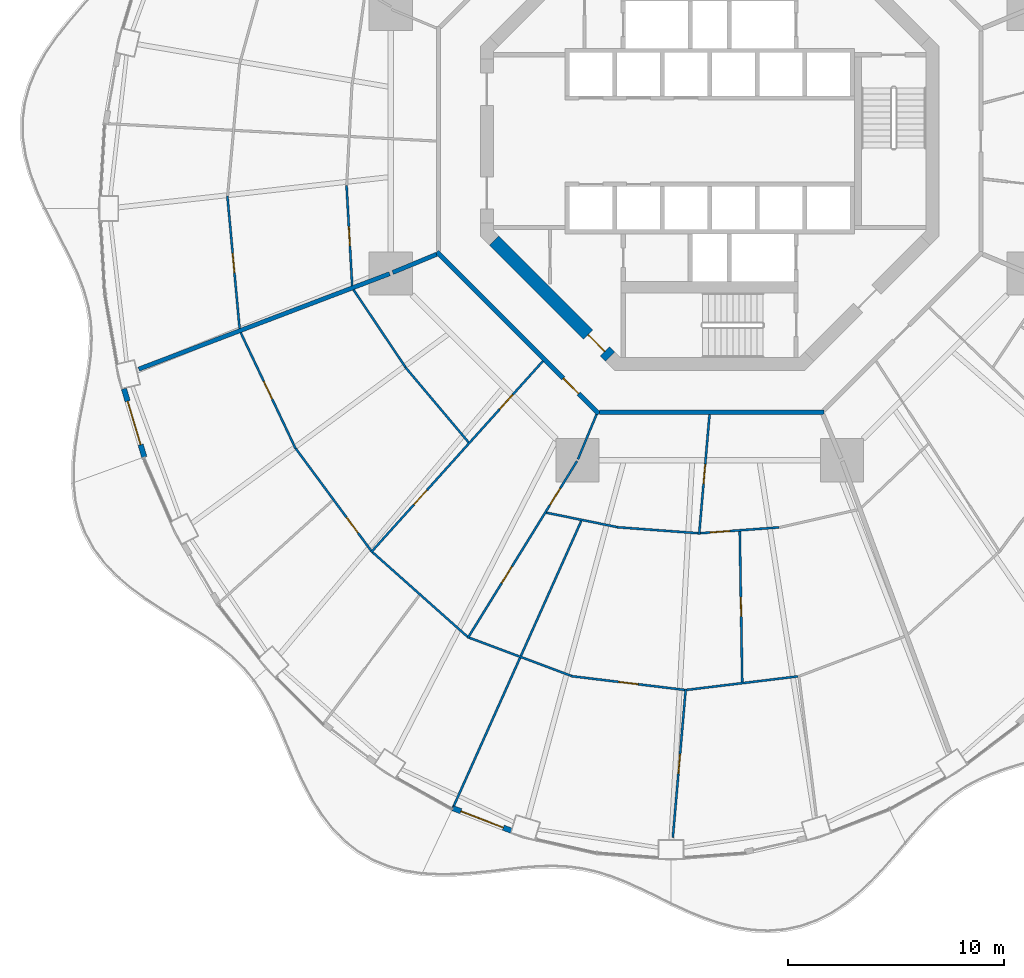
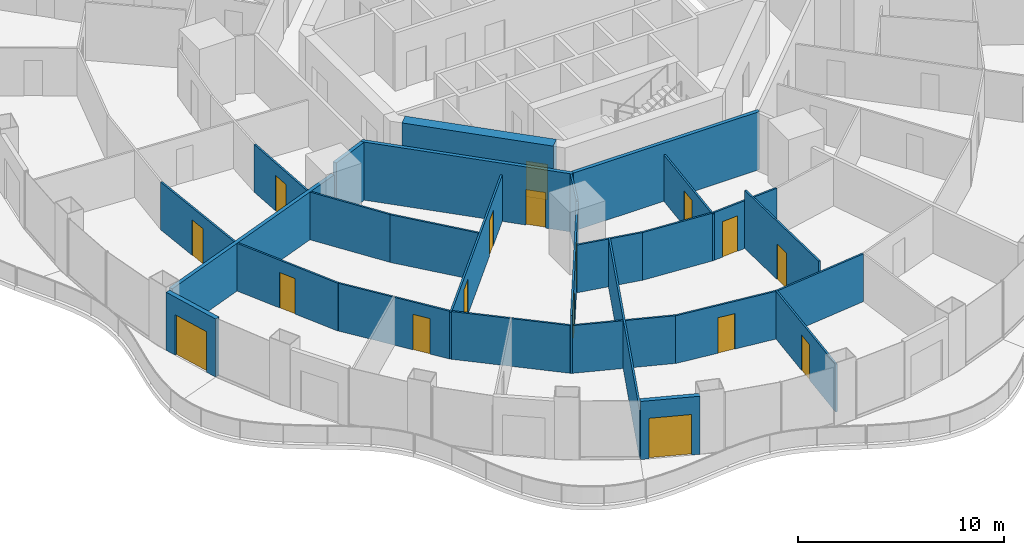
# One storey, part 12 of 20: 27 walls, 17 doors, 17 openings.
"""IFC4 building model written with IfcOpenShell, lengths in metres."""

from ifc_helpers import new_model, si_unit, direction, frame, frame_2d, origin, place, context, subcontext, project, spatial, rectangle, extrude, material, layer, layer_set, type_object, element, fill, save


model = new_model("IFC4")

# Units and contexts
model_context = context("Model", 3, precision=1e-05, world=origin(), true_north=direction((0.0, 1.0)))
body_context = subcontext(model_context, "Body", "Model", "MODEL_VIEW")
ifc_project = project(units=[si_unit("LENGTHUNIT", "METRE"), si_unit("AREAUNIT", "SQUARE_METRE"), si_unit("VOLUMEUNIT", "CUBIC_METRE"), si_unit("PLANEANGLEUNIT", "RADIAN"), si_unit("MASSUNIT", "GRAM", prefix="KILO")], contexts=[model_context])

# Site, building, storey
site_placement = place(None, origin())
site = spatial("IfcSite", under=ifc_project, at=site_placement, CompositionType="ELEMENT")
building_placement = place(site_placement, origin())
building = spatial("IfcBuilding", under=site, at=building_placement, Name="Nagisa Residences", CompositionType="ELEMENT")
storey_placement = place(building_placement, frame((0.0, 0.0, 152.89990234375)))
storey = spatial("IfcBuildingStorey", under=building, at=storey_placement, Name="L38", CompositionType="ELEMENT", Elevation=152.89990234375)

# Walls
ifc_material_1 = material(Name="Gypsum board on steel studs", Category="steel")
ifc_layer_1 = layer(ifc_material_1, 0.199951171875)
ifc_layer_set_1 = layer_set([ifc_layer_1], Name="Apartment compartment wall EI60 200")
wall_type_1 = type_object("IfcWallType", Name="Apartment compartment wall EI60 200", PredefinedType="PARTITIONING", material=ifc_layer_set_1)
wall_1_placement = place(storey_placement, frame((-12.6572265625, -5.24267578125, 0.0), z_axis=(0.0, 0.0, 1.0), x_axis=(-0.923859888513, -0.38273085373, 0.0)))
element("IfcWall", 1, at=wall_1_placement, inside=storey, type_object=wall_type_1, Name="wall:L38:u06", PredefinedType="PARTITIONING", context=body_context, shape_type="SweptSolid", body=[
    extrude(rectangle(XDim=2.199462890625, YDim=0.199951171875, at=frame_2d((1.099609375, 0.0))), origin(), (0.0, 0.0, 1.0), 3.440185546875),
])
wall_2_placement = place(storey_placement, frame((-14.828857421875, -6.140625, 0.0), z_axis=(0.0, 0.0, 1.0), x_axis=(-0.93470181966, -0.355432846433, 0.0)))
element("IfcWall", 2, at=wall_2_placement, inside=storey, type_object=wall_type_1, Name="wall:L38:u07", PredefinedType="PARTITIONING", context=body_context, shape_type="SweptSolid", body=[
    extrude(rectangle(XDim=12.4375, YDim=0.199951171875, at=frame_2d((6.21875, 0.0))), origin(), (0.0, 0.0, 1.0), 2.828125),
])

# Wall, opening, door
ifc_material_2 = material(Name="Gypsum board on steel studs", Category="steel")
ifc_layer_2 = layer(ifc_material_2, 0.199951171875)
ifc_layer_set_2 = layer_set([ifc_layer_2], Name="Apartment entry wall EI60 200")
wall_type_2 = type_object("IfcWallType", Name="Apartment entry wall EI60 200", PredefinedType="PARTITIONING", material=ifc_layer_set_2)
wall_3_placement = place(storey_placement, frame((-12.635498046875, -5.1337890625, 0.0), z_axis=(0.0, 0.0, 1.0), x_axis=(0.707106781187, -0.707106781187, 0.0)))
wall_3 = element("IfcWall", 3, at=wall_3_placement, inside=storey, type_object=wall_type_2, Name="wall:L38:u17", PredefinedType="PARTITIONING", context=body_context, shape_type="SweptSolid", body=[
    extrude(rectangle(XDim=10.609130859375, YDim=0.199951171875, at=frame_2d((5.3046875, 0.0))), origin(), (0.0, 0.0, 1.0), 3.440185546875),
])
opening_1_placement = place(wall_3_placement, frame((8.274169921875, 0.0, 0.0)))
opening_1 = element("IfcOpeningElement", 4, at=opening_1_placement, cuts=wall_3, Name="Opening L38-U45", PredefinedType="OPENING", context=body_context, shape_type="SweptSolid", body=[
    extrude(rectangle(XDim=1.0, YDim=2.10009765625, at=frame_2d((0.5, 1.050048828125))), frame((0.0, 0.10986328125, 0.0), z_axis=(0.0, -1.0, 0.0), x_axis=(1.0, 0.0, 0.0)), (0.0, 0.0, 1.0), 0.219970703125),
])
ifc_material_3 = material(Name="Timber fire door set", Category="wood")
door_type_1 = type_object("IfcDoorType", Name="Apartment entry door FD30S 1000x2100", OperationType="NOTDEFINED", PredefinedType="DOOR", material=ifc_material_3)
door_1_placement = place(opening_1_placement, frame((1.0, 0.0, 0.0), x_axis=(-1.0, 0.0, 0.0)))
door_1 = element("IfcDoor", 5, at=door_1_placement, inside=storey, type_object=door_type_1, Name="Entry door, Apartment 38F", OperationType="SINGLE_SWING_RIGHT", OverallHeight=2.10009765625, OverallWidth=1.0, PredefinedType="DOOR", context=body_context, shape_type="SweptSolid", body=[
    extrude(rectangle(XDim=1.0, YDim=2.10009765625, at=frame_2d((0.5, 1.050048828125))), frame((0.0, 0.02490234375, 0.0), z_axis=(0.0, -1.0, 0.0), x_axis=(1.0, 0.0, 0.0)), (0.0, 0.0, 1.0), 0.050048828125),
])
fill(opening_1, door_1)

# Wall
wall_4_placement = place(storey_placement, frame((-5.1044921875, -12.564697265625, 0.0), z_axis=(0.0, 0.0, 1.0), x_axis=(1.0, 0.0, 0.0)))
element("IfcWall", 6, at=wall_4_placement, inside=storey, type_object=wall_type_2, Name="wall:L38:u18", PredefinedType="PARTITIONING", context=body_context, shape_type="SweptSolid", body=[
    extrude(rectangle(XDim=10.408935546875, YDim=0.199951171875, at=frame_2d((5.20458984375, 0.0))), origin(), (0.0, 0.0, 1.0), 3.440185546875),
])

# Wall, opening, door
ifc_material_4 = material(Name="Gypsum board on steel studs", Category="steel")
ifc_layer_3 = layer(ifc_material_4, 0.10009765625)
ifc_layer_set_3 = layer_set([ifc_layer_3], Name="Apartment partition 100")
wall_type_3 = type_object("IfcWallType", Name="Apartment partition 100", PredefinedType="PARTITIONING", material=ifc_layer_set_3)
wall_5_placement = place(storey_placement, frame((-16.825439453125, -2.058349609375, 0.0), z_axis=(0.0, 0.0, 1.0), x_axis=(0.055993664681, -0.998431124072, 0.0)))
wall_5 = element("IfcWall", 7, at=wall_5_placement, inside=storey, type_object=wall_type_3, Name="wall:L38:u58", PredefinedType="PARTITIONING", context=body_context, shape_type="SweptSolid", body=[
    extrude(rectangle(XDim=4.64794921875, YDim=0.10009765625, at=frame_2d((2.323974609375, 0.0))), origin(), (0.0, 0.0, 1.0), 2.828125),
])
opening_2_placement = place(wall_5_placement, frame((1.89892578125, 0.0, 0.0)))
opening_2 = element("IfcOpeningElement", 8, at=opening_2_placement, cuts=wall_5, Name="Opening L38-U44", PredefinedType="OPENING", context=body_context, shape_type="SweptSolid", body=[
    extrude(rectangle(XDim=0.89990234375, YDim=2.10009765625, at=frame_2d((0.449951171875, 1.050048828125))), frame((0.0, 0.06005859375, 0.0), z_axis=(0.0, -1.0, 0.0), x_axis=(1.0, 0.0, 0.0)), (0.0, 0.0, 1.0), 0.1201171875),
])
ifc_material_5 = material(Name="Timber door set", Category="wood")
door_type_2 = type_object("IfcDoorType", Name="Apartment door 900x2100", OperationType="NOTDEFINED", PredefinedType="DOOR", material=ifc_material_5)
door_2_placement = place(opening_2_placement, origin())
door_2 = element("IfcDoor", 9, at=door_2_placement, inside=storey, type_object=door_type_2, Name="Door to laundry, Apartment 38E", OperationType="SINGLE_SWING_RIGHT", OverallHeight=2.10009765625, OverallWidth=0.89990234375, PredefinedType="DOOR", context=body_context, shape_type="SweptSolid", body=[
    extrude(rectangle(XDim=0.89990234375, YDim=2.10009765625, at=frame_2d((0.449951171875, 1.050048828125))), frame((0.0, 0.02490234375, 0.0), z_axis=(0.0, -1.0, 0.0), x_axis=(1.0, 0.0, 0.0)), (0.0, 0.0, 1.0), 0.050048828125),
])
fill(opening_2, door_2)

wall_6_placement = place(storey_placement, frame((-22.346923828125, -2.54248046875, 0.0), z_axis=(0.0, 0.0, 1.0), x_axis=(0.091796102484, -0.995777824401, 0.0)))
wall_6 = element("IfcWall", 10, at=wall_6_placement, inside=storey, type_object=wall_type_3, Name="wall:L38:u59", PredefinedType="PARTITIONING", context=body_context, shape_type="SweptSolid", body=[
    extrude(rectangle(XDim=6.1650390625, YDim=0.10009765625, at=frame_2d((3.08251953125, 0.0))), origin(), (0.0, 0.0, 1.0), 2.828125),
])
opening_3_placement = place(wall_6_placement, frame((2.657470703125, 0.0, 0.0)))
opening_3 = element("IfcOpeningElement", 11, at=opening_3_placement, cuts=wall_6, Name="Opening L38-U42", PredefinedType="OPENING", context=body_context, shape_type="SweptSolid", body=[
    extrude(rectangle(XDim=0.89990234375, YDim=2.10009765625, at=frame_2d((0.449951171875, 1.050048828125))), frame((0.0, 0.06005859375, 0.0), z_axis=(0.0, -1.0, 0.0), x_axis=(1.0, 0.0, 0.0)), (0.0, 0.0, 1.0), 0.1201171875),
])
door_3_placement = place(opening_3_placement, frame((0.89990234375, 0.0, 0.0), x_axis=(-1.0, 0.0, 0.0)))
door_3 = element("IfcDoor", 12, at=door_3_placement, inside=storey, type_object=door_type_2, Name="Door to family room, Apartment 38E", OperationType="SINGLE_SWING_LEFT", OverallHeight=2.10009765625, OverallWidth=0.89990234375, PredefinedType="DOOR", context=body_context, shape_type="SweptSolid", body=[
    extrude(rectangle(XDim=0.89990234375, YDim=2.10009765625, at=frame_2d((0.449951171875, 1.050048828125))), frame((0.0, 0.02490234375, 0.0), z_axis=(0.0, -1.0, 0.0), x_axis=(1.0, 0.0, 0.0)), (0.0, 0.0, 1.0), 0.050048828125),
])
fill(opening_3, door_3)

# Wall
wall_7_placement = place(storey_placement, frame((-16.50390625, -6.8818359375, 0.0), z_axis=(0.0, 0.0, 1.0), x_axis=(0.556995256876, -0.830515673433, 0.0)))
element("IfcWall", 13, at=wall_7_placement, inside=storey, type_object=wall_type_3, Name="wall:L38:u60", PredefinedType="PARTITIONING", context=body_context, shape_type="SweptSolid", body=[
    extrude(rectangle(XDim=4.316650390625, YDim=0.10009765625, at=frame_2d((2.158203125, 0.0))), origin(), (0.0, 0.0, 1.0), 2.828125),
])

# Wall, opening, door
wall_8_placement = place(storey_placement, frame((-21.72900390625, -8.871337890625, 0.0), z_axis=(0.0, 0.0, 1.0), x_axis=(0.427721126152, -0.903910746834, 0.0)))
wall_8 = element("IfcWall", 14, at=wall_8_placement, inside=storey, type_object=wall_type_3, Name="wall:L38:u61", PredefinedType="PARTITIONING", context=body_context, shape_type="SweptSolid", body=[
    extrude(rectangle(XDim=5.94873046875, YDim=0.10009765625, at=frame_2d((2.974365234375, 0.0))), origin(), (0.0, 0.0, 1.0), 2.828125),
])
opening_4_placement = place(wall_8_placement, frame((2.49951171875, 0.0, 0.0)))
opening_4 = element("IfcOpeningElement", 15, at=opening_4_placement, cuts=wall_8, Name="Opening L38-U53", PredefinedType="OPENING", context=body_context, shape_type="SweptSolid", body=[
    extrude(rectangle(XDim=0.89990234375, YDim=2.10009765625, at=frame_2d((0.449951171875, 1.050048828125))), frame((0.0, 0.06005859375, 0.0), z_axis=(0.0, -1.0, 0.0), x_axis=(1.0, 0.0, 0.0)), (0.0, 0.0, 1.0), 0.1201171875),
])
door_4_placement = place(opening_4_placement, frame((0.89990234375, 0.0, 0.0), x_axis=(-1.0, 0.0, 0.0)))
door_4 = element("IfcDoor", 16, at=door_4_placement, inside=storey, type_object=door_type_2, Name="Door to dining room, Apartment 38F", OperationType="SINGLE_SWING_RIGHT", OverallHeight=2.10009765625, OverallWidth=0.89990234375, PredefinedType="DOOR", context=body_context, shape_type="SweptSolid", body=[
    extrude(rectangle(XDim=0.89990234375, YDim=2.10009765625, at=frame_2d((0.449951171875, 1.050048828125))), frame((0.0, 0.02490234375, 0.0), z_axis=(0.0, -1.0, 0.0), x_axis=(1.0, 0.0, 0.0)), (0.0, 0.0, 1.0), 0.050048828125),
])
fill(opening_4, door_4)

# Wall
wall_9_placement = place(storey_placement, frame((-14.10400390625, -10.47021484375, 0.0), z_axis=(0.0, 0.0, 1.0), x_axis=(0.644051444483, -0.764982180746, 0.0)))
element("IfcWall", 17, at=wall_9_placement, inside=storey, type_object=wall_type_3, Name="wall:L38:u62", PredefinedType="PARTITIONING", context=body_context, shape_type="SweptSolid", body=[
    extrude(rectangle(XDim=4.54833984375, YDim=0.10009765625, at=frame_2d((2.274169921875, 0.0))), origin(), (0.0, 0.0, 1.0), 2.828125),
])

# Wall, opening, door
wall_10_placement = place(storey_placement, frame((-19.17626953125, -14.24365234375, 0.0), z_axis=(0.0, 0.0, 1.0), x_axis=(0.593532053206, -0.80481035146, 0.0)))
wall_10 = element("IfcWall", 18, at=wall_10_placement, inside=storey, type_object=wall_type_3, Name="wall:L38:u63", PredefinedType="PARTITIONING", context=body_context, shape_type="SweptSolid", body=[
    extrude(rectangle(XDim=5.8759765625, YDim=0.10009765625, at=frame_2d((2.93798828125, 0.0))), origin(), (0.0, 0.0, 1.0), 2.828125),
])
opening_5_placement = place(wall_10_placement, frame((3.956787109375, 0.0, 0.0)))
opening_5 = element("IfcOpeningElement", 19, at=opening_5_placement, cuts=wall_10, Name="Opening L38-U54", PredefinedType="OPENING", context=body_context, shape_type="SweptSolid", body=[
    extrude(rectangle(XDim=0.89990234375, YDim=2.10009765625, at=frame_2d((0.449951171875, 1.050048828125))), frame((0.0, 0.06005859375, 0.0), z_axis=(0.0, -1.0, 0.0), x_axis=(1.0, 0.0, 0.0)), (0.0, 0.0, 1.0), 0.1201171875),
])
door_5_placement = place(opening_5_placement, frame((0.89990234375, 0.0, 0.0), x_axis=(-1.0, 0.0, 0.0)))
door_5 = element("IfcDoor", 20, at=door_5_placement, inside=storey, type_object=door_type_2, Name="Door to tatami room, Apartment 38F", OperationType="SINGLE_SWING_LEFT", OverallHeight=2.10009765625, OverallWidth=0.89990234375, PredefinedType="DOOR", context=body_context, shape_type="SweptSolid", body=[
    extrude(rectangle(XDim=0.89990234375, YDim=2.10009765625, at=frame_2d((0.449951171875, 1.050048828125))), frame((0.0, 0.02490234375, 0.0), z_axis=(0.0, -1.0, 0.0), x_axis=(1.0, 0.0, 0.0)), (0.0, 0.0, 1.0), 0.050048828125),
])
fill(opening_5, door_5)

# Wall, openings, doors
wall_11_placement = place(storey_placement, frame((-7.724853515625, -10.185791015625, 0.0), z_axis=(0.0, 0.0, 1.0), x_axis=(-0.668498346565, -0.743713628112, 0.0)))
wall_11 = element("IfcWall", 21, at=wall_11_placement, inside=storey, type_object=wall_type_3, Name="wall:L38:u65", PredefinedType="PARTITIONING", context=body_context, shape_type="SweptSolid", body=[
    extrude(rectangle(XDim=11.9189453125, YDim=0.10009765625, at=frame_2d((5.95947265625, 0.0))), origin(), (0.0, 0.0, 1.0), 2.756103515625),
])
opening_6_placement = place(wall_11_placement, frame((2.106201171875, 0.0, 0.0)))
opening_6 = element("IfcOpeningElement", 22, at=opening_6_placement, cuts=wall_11, Name="Opening L38-U46", PredefinedType="OPENING", context=body_context, shape_type="SweptSolid", body=[
    extrude(rectangle(XDim=0.89990234375, YDim=2.10009765625, at=frame_2d((0.449951171875, 1.050048828125))), frame((0.0, 0.06005859375, 0.0), z_axis=(0.0, -1.0, 0.0), x_axis=(1.0, 0.0, 0.0)), (0.0, 0.0, 1.0), 0.1201171875),
])
opening_7_placement = place(wall_11_placement, frame((8.040771484375, 0.0, 0.0)))
opening_7 = element("IfcOpeningElement", 23, at=opening_7_placement, cuts=wall_11, Name="Opening L38-U49", PredefinedType="OPENING", context=body_context, shape_type="SweptSolid", body=[
    extrude(rectangle(XDim=0.89990234375, YDim=2.10009765625, at=frame_2d((0.449951171875, 1.050048828125))), frame((0.0, 0.06005859375, 0.0), z_axis=(0.0, -1.0, 0.0), x_axis=(1.0, 0.0, 0.0)), (0.0, 0.0, 1.0), 0.1201171875),
])
door_6_placement = place(opening_6_placement, frame((0.89990234375, 0.0, 0.0), x_axis=(-1.0, 0.0, 0.0)))
door_6 = element("IfcDoor", 24, at=door_6_placement, inside=storey, type_object=door_type_2, Name="Door to store, Apartment 38F", OperationType="SINGLE_SWING_LEFT", OverallHeight=2.10009765625, OverallWidth=0.89990234375, PredefinedType="DOOR", context=body_context, shape_type="SweptSolid", body=[
    extrude(rectangle(XDim=0.89990234375, YDim=2.10009765625, at=frame_2d((0.449951171875, 1.050048828125))), frame((0.0, 0.02490234375, 0.0), z_axis=(0.0, -1.0, 0.0), x_axis=(1.0, 0.0, 0.0)), (0.0, 0.0, 1.0), 0.050048828125),
])
fill(opening_6, door_6)
door_7_placement = place(opening_7_placement, frame((0.89990234375, 0.0, 0.0), x_axis=(-1.0, 0.0, 0.0)))
door_7 = element("IfcDoor", 25, at=door_7_placement, inside=storey, type_object=door_type_2, Name="Door to family room, Apartment 38F", OperationType="SINGLE_SWING_RIGHT", OverallHeight=2.10009765625, OverallWidth=0.89990234375, PredefinedType="DOOR", context=body_context, shape_type="SweptSolid", body=[
    extrude(rectangle(XDim=0.89990234375, YDim=2.10009765625, at=frame_2d((0.449951171875, 1.050048828125))), frame((0.0, 0.02490234375, 0.0), z_axis=(0.0, -1.0, 0.0), x_axis=(1.0, 0.0, 0.0)), (0.0, 0.0, 1.0), 0.050048828125),
])
fill(opening_7, door_7)

# Walls
wall_12_placement = place(storey_placement, frame((-15.621826171875, -19.046142578125, 0.0), z_axis=(0.0, 0.0, 1.0), x_axis=(0.747342891849, -0.664438561496, 0.0)))
element("IfcWall", 26, at=wall_12_placement, inside=storey, type_object=wall_type_3, Name="wall:L38:u66", PredefinedType="PARTITIONING", context=body_context, shape_type="SweptSolid", body=[
    extrude(rectangle(XDim=5.880859375, YDim=0.10009765625, at=frame_2d((2.9404296875, 0.0))), origin(), (0.0, 0.0, 1.0), 2.828125),
])
wall_13_placement = place(storey_placement, frame((-5.24267578125, -12.6572265625, 0.0), z_axis=(0.0, 0.0, 1.0), x_axis=(-0.382811769845, -0.923826362943, 0.0)))
element("IfcWall", 27, at=wall_13_placement, inside=storey, type_object=wall_type_3, Name="wall:L38:u68", PredefinedType="PARTITIONING", context=body_context, shape_type="SweptSolid", body=[
    extrude(rectangle(XDim=2.25, YDim=0.10009765625, at=frame_2d((1.125, 0.0))), origin(), (0.0, 0.0, 1.0), 3.440185546875),
])

# Wall, openings, doors
wall_14_placement = place(storey_placement, frame((-6.149169921875, -14.82470703125, 0.0), z_axis=(0.0, 0.0, 1.0), x_axis=(-0.525396393596, -0.850857584791, 0.0)))
wall_14 = element("IfcWall", 28, at=wall_14_placement, inside=storey, type_object=wall_type_3, Name="wall:L38:u69", PredefinedType="PARTITIONING", context=body_context, shape_type="SweptSolid", body=[
    extrude(rectangle(XDim=9.64306640625, YDim=0.10009765625, at=frame_2d((4.821533203125, 0.0))), origin(), (0.0, 0.0, 1.0), 3.440185546875),
])
opening_8_placement = place(wall_14_placement, frame((1.48486328125, 0.0, 0.0)))
opening_8 = element("IfcOpeningElement", 29, at=opening_8_placement, cuts=wall_14, Name="Opening L38-U47", PredefinedType="OPENING", context=body_context, shape_type="SweptSolid", body=[
    extrude(rectangle(XDim=0.89990234375, YDim=2.10009765625, at=frame_2d((0.449951171875, 1.050048828125))), frame((0.0, 0.06005859375, 0.0), z_axis=(0.0, -1.0, 0.0), x_axis=(1.0, 0.0, 0.0)), (0.0, 0.0, 1.0), 0.1201171875),
])
opening_9_placement = place(wall_14_placement, frame((5.743896484375, 0.0, 0.0)))
opening_9 = element("IfcOpeningElement", 30, at=opening_9_placement, cuts=wall_14, Name="Opening L38-U50", PredefinedType="OPENING", context=body_context, shape_type="SweptSolid", body=[
    extrude(rectangle(XDim=0.89990234375, YDim=2.10009765625, at=frame_2d((0.449951171875, 1.050048828125))), frame((0.0, 0.06005859375, 0.0), z_axis=(0.0, -1.0, 0.0), x_axis=(1.0, 0.0, 0.0)), (0.0, 0.0, 1.0), 0.1201171875),
])
door_8_placement = place(opening_8_placement, origin())
door_8 = element("IfcDoor", 31, at=door_8_placement, inside=storey, type_object=door_type_2, Name="Door to store, Apartment 38F", OperationType="SINGLE_SWING_LEFT", OverallHeight=2.10009765625, OverallWidth=0.89990234375, PredefinedType="DOOR", context=body_context, shape_type="SweptSolid", body=[
    extrude(rectangle(XDim=0.89990234375, YDim=2.10009765625, at=frame_2d((0.449951171875, 1.050048828125))), frame((0.0, 0.02490234375, 0.0), z_axis=(0.0, -1.0, 0.0), x_axis=(1.0, 0.0, 0.0)), (0.0, 0.0, 1.0), 0.050048828125),
])
fill(opening_8, door_8)
door_9_placement = place(opening_9_placement, origin())
door_9 = element("IfcDoor", 32, at=door_9_placement, inside=storey, type_object=door_type_2, Name="Door to family bathroom, Apartment 38F", OperationType="SINGLE_SWING_RIGHT", OverallHeight=2.10009765625, OverallWidth=0.89990234375, PredefinedType="DOOR", context=body_context, shape_type="SweptSolid", body=[
    extrude(rectangle(XDim=0.89990234375, YDim=2.10009765625, at=frame_2d((0.449951171875, 1.050048828125))), frame((0.0, 0.02490234375, 0.0), z_axis=(0.0, -1.0, 0.0), x_axis=(1.0, 0.0, 0.0)), (0.0, 0.0, 1.0), 0.050048828125),
])
fill(opening_9, door_9)

# Walls
wall_15_placement = place(storey_placement, frame((-7.568359375, -17.21240234375, 0.0), z_axis=(0.0, 0.0, 1.0), x_axis=(0.979967079473, -0.199159541946, 0.0)))
element("IfcWall", 33, at=wall_15_placement, inside=storey, type_object=wall_type_3, Name="wall:L38:u70", PredefinedType="PARTITIONING", context=body_context, shape_type="SweptSolid", body=[
    extrude(rectangle(XDim=3.3466796875, YDim=0.10009765625, at=frame_2d((1.67333984375, 0.0))), origin(), (0.0, 0.0, 1.0), 2.828125),
])
wall_16_placement = place(storey_placement, frame((-11.142578125, -23.00439453125, 0.0), z_axis=(0.0, 0.0, 1.0), x_axis=(0.936721765635, -0.350074754567, 0.0)))
element("IfcWall", 34, at=wall_16_placement, inside=storey, type_object=wall_type_3, Name="wall:L38:u71", PredefinedType="PARTITIONING", context=body_context, shape_type="SweptSolid", body=[
    extrude(rectangle(XDim=5.052734375, YDim=0.10009765625, at=frame_2d((2.5263671875, 0.0))), origin(), (0.0, 0.0, 1.0), 2.828125),
])
wall_17_placement = place(storey_placement, frame((-5.94921875, -17.59130859375, 0.0), z_axis=(0.0, 0.0, 1.0), x_axis=(-0.40838467696, -0.912809923053, 0.0)))
element("IfcWall", 35, at=wall_17_placement, inside=storey, type_object=wall_type_3, Name="wall:L38:u72", PredefinedType="PARTITIONING", context=body_context, shape_type="SweptSolid", body=[
    extrude(rectangle(XDim=14.6650390625, YDim=0.10009765625, at=frame_2d((7.33251953125, 0.0))), origin(), (0.0, 0.0, 1.0), 2.905029296875),
])
wall_18_placement = place(storey_placement, frame((-4.289794921875, -17.88525390625, 0.0), z_axis=(0.0, 0.0, 1.0), x_axis=(0.997272353708, -0.073809569363, 0.0)))
element("IfcWall", 36, at=wall_18_placement, inside=storey, type_object=wall_type_3, Name="wall:L38:u73", PredefinedType="PARTITIONING", context=body_context, shape_type="SweptSolid", body=[
    extrude(rectangle(XDim=3.76416015625, YDim=0.10009765625, at=frame_2d((1.882080078125, 0.0))), origin(), (0.0, 0.0, 1.0), 2.828125),
])

# Wall, opening, door
wall_19_placement = place(storey_placement, frame((-6.41259765625, -24.784423828125, 0.0), z_axis=(0.0, 0.0, 1.0), x_axis=(0.992690077723, -0.120691381588, 0.0)))
wall_19 = element("IfcWall", 37, at=wall_19_placement, inside=storey, type_object=wall_type_3, Name="wall:L38:u74", PredefinedType="PARTITIONING", context=body_context, shape_type="SweptSolid", body=[
    extrude(rectangle(XDim=5.28564453125, YDim=0.10009765625, at=frame_2d((2.642822265625, 0.0))), origin(), (0.0, 0.0, 1.0), 2.828125),
])
opening_10_placement = place(wall_19_placement, frame((2.2177734375, 0.0, 0.0)))
opening_10 = element("IfcOpeningElement", 38, at=opening_10_placement, cuts=wall_19, Name="Opening L38-U56", PredefinedType="OPENING", context=body_context, shape_type="SweptSolid", body=[
    extrude(rectangle(XDim=0.89990234375, YDim=2.10009765625, at=frame_2d((0.449951171875, 1.050048828125))), frame((0.0, 0.06005859375, 0.0), z_axis=(0.0, -1.0, 0.0), x_axis=(1.0, 0.0, 0.0)), (0.0, 0.0, 1.0), 0.1201171875),
])
door_10_placement = place(opening_10_placement, frame((0.89990234375, 0.0, 0.0), x_axis=(-1.0, 0.0, 0.0)))
door_10 = element("IfcDoor", 39, at=door_10_placement, inside=storey, type_object=door_type_2, Name="Door to living room, Apartment 38F", OperationType="SINGLE_SWING_LEFT", OverallHeight=2.10009765625, OverallWidth=0.89990234375, PredefinedType="DOOR", context=body_context, shape_type="SweptSolid", body=[
    extrude(rectangle(XDim=0.89990234375, YDim=2.10009765625, at=frame_2d((0.449951171875, 1.050048828125))), frame((0.0, 0.02490234375, 0.0), z_axis=(0.0, -1.0, 0.0), x_axis=(1.0, 0.0, 0.0)), (0.0, 0.0, 1.0), 0.050048828125),
])
fill(opening_10, door_10)

wall_20_placement = place(storey_placement, frame((-0.008544921875, -12.664306640625, 0.0), z_axis=(0.0, 0.0, 1.0), x_axis=(-0.086431127211, -0.9962578282, 0.0)))
wall_20 = element("IfcWall", 40, at=wall_20_placement, inside=storey, type_object=wall_type_3, Name="wall:L38:u75", PredefinedType="PARTITIONING", context=body_context, shape_type="SweptSolid", body=[
    extrude(rectangle(XDim=5.572998046875, YDim=0.10009765625, at=frame_2d((2.78662109375, 0.0))), origin(), (0.0, 0.0, 1.0), 2.756103515625),
])
opening_11_placement = place(wall_20_placement, frame((2.3115234375, 0.0, 0.0)))
opening_11 = element("IfcOpeningElement", 41, at=opening_11_placement, cuts=wall_20, Name="Opening L38-U48", PredefinedType="OPENING", context=body_context, shape_type="SweptSolid", body=[
    extrude(rectangle(XDim=0.89990234375, YDim=2.10009765625, at=frame_2d((0.449951171875, 1.050048828125))), frame((0.0, 0.06005859375, 0.0), z_axis=(0.0, -1.0, 0.0), x_axis=(1.0, 0.0, 0.0)), (0.0, 0.0, 1.0), 0.1201171875),
])
door_11_placement = place(opening_11_placement, origin())
door_11 = element("IfcDoor", 42, at=door_11_placement, inside=storey, type_object=door_type_2, Name="Door to laundry, Apartment 38F", OperationType="SINGLE_SWING_RIGHT", OverallHeight=2.10009765625, OverallWidth=0.89990234375, PredefinedType="DOOR", context=body_context, shape_type="SweptSolid", body=[
    extrude(rectangle(XDim=0.89990234375, YDim=2.10009765625, at=frame_2d((0.449951171875, 1.050048828125))), frame((0.0, 0.02490234375, 0.0), z_axis=(0.0, -1.0, 0.0), x_axis=(1.0, 0.0, 0.0)), (0.0, 0.0, 1.0), 0.050048828125),
])
fill(opening_11, door_11)

wall_21_placement = place(storey_placement, frame((-0.43603515625, -18.1630859375, 0.0), z_axis=(0.0, 0.0, 1.0), x_axis=(0.997271025958, 0.073827506966, 0.0)))
wall_21 = element("IfcWall", 43, at=wall_21_placement, inside=storey, type_object=wall_type_3, Name="wall:L38:u76", PredefinedType="PARTITIONING", context=body_context, shape_type="SweptSolid", body=[
    extrude(rectangle(XDim=3.6640625, YDim=0.10009765625, at=frame_2d((1.83203125, 0.0))), origin(), (0.0, 0.0, 1.0), 2.828125),
])
opening_12_placement = place(wall_21_placement, frame((0.466064453125, 0.0, 0.0)))
opening_12 = element("IfcOpeningElement", 44, at=opening_12_placement, cuts=wall_21, Name="Opening L38-U51", PredefinedType="OPENING", context=body_context, shape_type="SweptSolid", body=[
    extrude(rectangle(XDim=0.89990234375, YDim=2.10009765625, at=frame_2d((0.449951171875, 1.050048828125))), frame((0.0, 0.06005859375, 0.0), z_axis=(0.0, -1.0, 0.0), x_axis=(1.0, 0.0, 0.0)), (0.0, 0.0, 1.0), 0.1201171875),
])
door_12_placement = place(opening_12_placement, frame((0.89990234375, 0.0, 0.0), x_axis=(-1.0, 0.0, 0.0)))
door_12 = element("IfcDoor", 45, at=door_12_placement, inside=storey, type_object=door_type_2, Name="Door to dining room, Apartment 38F", OperationType="SINGLE_SWING_RIGHT", OverallHeight=2.10009765625, OverallWidth=0.89990234375, PredefinedType="DOOR", context=body_context, shape_type="SweptSolid", body=[
    extrude(rectangle(XDim=0.89990234375, YDim=2.10009765625, at=frame_2d((0.449951171875, 1.050048828125))), frame((0.0, 0.02490234375, 0.0), z_axis=(0.0, -1.0, 0.0), x_axis=(1.0, 0.0, 0.0)), (0.0, 0.0, 1.0), 0.050048828125),
])
fill(opening_12, door_12)

wall_22_placement = place(storey_placement, frame((-1.111572265625, -25.378662109375, 0.0), z_axis=(0.0, 0.0, 1.0), x_axis=(-0.08643315117, -0.996257652607, 0.0)))
wall_22 = element("IfcWall", 46, at=wall_22_placement, inside=storey, type_object=wall_type_3, Name="wall:L38:u77", PredefinedType="PARTITIONING", context=body_context, shape_type="SweptSolid", body=[
    extrude(rectangle(XDim=6.91748046875, YDim=0.10009765625, at=frame_2d((3.458740234375, 0.0))), origin(), (0.0, 0.0, 1.0), 2.828125),
])
opening_13_placement = place(wall_22_placement, frame((3.03369140625, 0.0, 0.0)))
opening_13 = element("IfcOpeningElement", 47, at=opening_13_placement, cuts=wall_22, Name="Opening L38-U57", PredefinedType="OPENING", context=body_context, shape_type="SweptSolid", body=[
    extrude(rectangle(XDim=0.89990234375, YDim=2.10009765625, at=frame_2d((0.449951171875, 1.050048828125))), frame((0.0, 0.06005859375, 0.0), z_axis=(0.0, -1.0, 0.0), x_axis=(1.0, 0.0, 0.0)), (0.0, 0.0, 1.0), 0.1201171875),
])
door_13_placement = place(opening_13_placement, origin())
door_13 = element("IfcDoor", 48, at=door_13_placement, inside=storey, type_object=door_type_2, Name="Door to master bedroom, Apartment 38F", OperationType="SINGLE_SWING_LEFT", OverallHeight=2.10009765625, OverallWidth=0.89990234375, PredefinedType="DOOR", context=body_context, shape_type="SweptSolid", body=[
    extrude(rectangle(XDim=0.89990234375, YDim=2.10009765625, at=frame_2d((0.449951171875, 1.050048828125))), frame((0.0, 0.02490234375, 0.0), z_axis=(0.0, -1.0, 0.0), x_axis=(1.0, 0.0, 0.0)), (0.0, 0.0, 1.0), 0.050048828125),
])
fill(opening_13, door_13)

# Wall
wall_23_placement = place(storey_placement, frame((-1.06640625, -25.42236328125, 0.0), z_axis=(0.0, 0.0, 1.0), x_axis=(0.992692993044, 0.120667400577, 0.0)))
element("IfcWall", 49, at=wall_23_placement, inside=storey, type_object=wall_type_3, Name="wall:L38:u78", PredefinedType="PARTITIONING", context=body_context, shape_type="SweptSolid", body=[
    extrude(rectangle(XDim=5.185546875, YDim=0.10009765625, at=frame_2d((2.5927734375, 0.0))), origin(), (0.0, 0.0, 1.0), 2.828125),
])

# Wall, opening, door
wall_24_placement = place(storey_placement, frame((1.391845703125, -18.077880859375, 0.0), z_axis=(0.0, 0.0, 1.0), x_axis=(0.016433071124, -0.99986496797, 0.0)))
wall_24 = element("IfcWall", 50, at=wall_24_placement, inside=storey, type_object=wall_type_3, Name="wall:L38:u79", PredefinedType="PARTITIONING", context=body_context, shape_type="SweptSolid", body=[
    extrude(rectangle(XDim=6.982666015625, YDim=0.10009765625, at=frame_2d((3.4912109375, 0.0))), origin(), (0.0, 0.0, 1.0), 3.440185546875),
])
opening_14_placement = place(wall_24_placement, frame((3.041259765625, 0.0, 0.0)))
opening_14 = element("IfcOpeningElement", 51, at=opening_14_placement, cuts=wall_24, Name="Opening L38-U52", PredefinedType="OPENING", context=body_context, shape_type="SweptSolid", body=[
    extrude(rectangle(XDim=0.89990234375, YDim=2.10009765625, at=frame_2d((0.449951171875, 1.050048828125))), frame((0.0, 0.06005859375, 0.0), z_axis=(0.0, -1.0, 0.0), x_axis=(1.0, 0.0, 0.0)), (0.0, 0.0, 1.0), 0.1201171875),
])
door_14_placement = place(opening_14_placement, origin())
door_14 = element("IfcDoor", 52, at=door_14_placement, inside=storey, type_object=door_type_2, Name="Door to kitchen, Apartment 38F", OperationType="SINGLE_SWING_RIGHT", OverallHeight=2.10009765625, OverallWidth=0.89990234375, PredefinedType="DOOR", context=body_context, shape_type="SweptSolid", body=[
    extrude(rectangle(XDim=0.89990234375, YDim=2.10009765625, at=frame_2d((0.449951171875, 1.050048828125))), frame((0.0, 0.02490234375, 0.0), z_axis=(0.0, -1.0, 0.0), x_axis=(1.0, 0.0, 0.0)), (0.0, 0.0, 1.0), 0.050048828125),
])
fill(opening_14, door_14)

ifc_material_6 = material(Name="Precast concrete C40/50", Category="concrete")
ifc_layer_4 = layer(ifc_material_6, 0.25)
ifc_layer_set_4 = layer_set([ifc_layer_4], Name="BALCONY DOOR WALL 250")
wall_type_4 = type_object("IfcWallType", Name="BALCONY DOOR WALL 250", PredefinedType="SOLIDWALL", material=ifc_layer_set_4)
wall_25_placement = place(storey_placement, frame((-26.1953125, -14.63720703125, 0.0), z_axis=(0.0, 0.0, 1.0), x_axis=(-0.285889665412, 0.958262541901, 0.0)))
wall_25 = element("IfcWall", 53, at=wall_25_placement, inside=storey, type_object=wall_type_4, Name="wall:L38:bay26", PredefinedType="SOLIDWALL", context=body_context, shape_type="SweptSolid", body=[
    extrude(rectangle(XDim=3.30322265625, YDim=0.25, at=frame_2d((1.651611328125, 0.0))), origin(), (0.0, 0.0, 1.0), 3.440185546875),
])
opening_15_placement = place(wall_25_placement, frame((0.6015625, 0.0, 0.0)))
opening_15 = element("IfcOpeningElement", 54, at=opening_15_placement, cuts=wall_25, Name="Opening BD-L38-09", PredefinedType="OPENING", context=body_context, shape_type="SweptSolid", body=[
    extrude(rectangle(XDim=2.10009765625, YDim=2.39990234375, at=frame_2d((1.050048828125, 1.199951171875))), frame((0.0, 0.135009765625, 0.0), z_axis=(0.0, -1.0, 0.0), x_axis=(1.0, 0.0, 0.0)), (0.0, 0.0, 1.0), 0.27001953125),
])
ifc_material_7 = material(Name="Aluminium and clear glass", Category="aluminium")
door_type_3 = type_object("IfcDoorType", Name="BALCONY SLIDING DOOR 2100x2400", OperationType="SLIDING_TO_LEFT", PredefinedType="DOOR", material=ifc_material_7)
door_15_placement = place(opening_15_placement, origin())
door_15 = element("IfcDoor", 55, at=door_15_placement, inside=storey, type_object=door_type_3, Name="door:L38:bay26", OperationType="SLIDING_TO_LEFT", OverallHeight=2.39990234375, OverallWidth=2.10009765625, PredefinedType="DOOR", context=body_context, shape_type="SweptSolid", body=[
    extrude(rectangle(XDim=2.10009765625, YDim=2.39990234375, at=frame_2d((1.050048828125, 1.199951171875))), frame((0.0, 0.02490234375, 0.0), z_axis=(0.0, -1.0, 0.0), x_axis=(1.0, 0.0, 0.0)), (0.0, 0.0, 1.0), 0.050048828125),
])
fill(opening_15, door_15)

wall_26_placement = place(storey_placement, frame((-9.182373046875, -31.950927734375, 0.0), z_axis=(0.0, 0.0, 1.0), x_axis=(-0.932845344347, 0.360277064952, 0.0)))
wall_26 = element("IfcWall", 56, at=wall_26_placement, inside=storey, type_object=wall_type_4, Name="wall:L38:bay33", PredefinedType="SOLIDWALL", context=body_context, shape_type="SweptSolid", body=[
    extrude(rectangle(XDim=2.92333984375, YDim=0.25, at=frame_2d((1.461669921875, 0.0))), origin(), (0.0, 0.0, 1.0), 3.440185546875),
])
opening_16_placement = place(wall_26_placement, frame((0.41162109375, 0.0, 0.0)))
opening_16 = element("IfcOpeningElement", 57, at=opening_16_placement, cuts=wall_26, Name="Opening BD-L38-12", PredefinedType="OPENING", context=body_context, shape_type="SweptSolid", body=[
    extrude(rectangle(XDim=2.10009765625, YDim=2.39990234375, at=frame_2d((1.050048828125, 1.199951171875))), frame((0.0, 0.135009765625, 0.0), z_axis=(0.0, -1.0, 0.0), x_axis=(1.0, 0.0, 0.0)), (0.0, 0.0, 1.0), 0.27001953125),
])
door_16_placement = place(opening_16_placement, origin())
door_16 = element("IfcDoor", 58, at=door_16_placement, inside=storey, type_object=door_type_3, Name="door:L38:bay33", OperationType="SLIDING_TO_LEFT", OverallHeight=2.39990234375, OverallWidth=2.10009765625, PredefinedType="DOOR", context=body_context, shape_type="SweptSolid", body=[
    extrude(rectangle(XDim=2.10009765625, YDim=2.39990234375, at=frame_2d((1.050048828125, 1.199951171875))), frame((0.0, 0.02490234375, 0.0), z_axis=(0.0, -1.0, 0.0), x_axis=(1.0, 0.0, 0.0)), (0.0, 0.0, 1.0), 0.050048828125),
])
fill(opening_16, door_16)

ifc_material_8 = material(Name="Concrete C60", Category="concrete")
ifc_layer_5 = layer(ifc_material_8, 0.60009765625)
ifc_layer_set_5 = layer_set([ifc_layer_5], Name="Core shear wall 600")
wall_type_5 = type_object("IfcWallType", Name="Core shear wall 600", PredefinedType="SHEAR", material=ifc_layer_set_5)
wall_27_placement = place(storey_placement, frame((-9.98828125, -4.613037109375, 0.0), z_axis=(0.0, 0.0, 1.0), x_axis=(0.707106781187, -0.707106781187, 0.0)))
wall_27 = element("IfcWall", 59, at=wall_27_placement, inside=storey, type_object=wall_type_5, Name="wall:L38:core:flat5", PredefinedType="SHEAR", context=body_context, shape_type="SweptSolid", body=[
    extrude(rectangle(XDim=7.601806640625, YDim=0.60009765625, at=frame_2d((3.80078125, 0.0))), origin(), (0.0, 0.0, 1.0), 3.440185546875),
])
opening_17_placement = place(wall_27_placement, frame((6.15087890625, 0.0, 0.0)))
opening_17 = element("IfcOpeningElement", 60, at=opening_17_placement, cuts=wall_27, Name="Opening L38-C20", PredefinedType="OPENING", context=body_context, shape_type="SweptSolid", body=[
    extrude(rectangle(XDim=1.10009765625, YDim=2.10009765625, at=frame_2d((0.550048828125, 1.050048828125))), frame((0.0, 0.31005859375, 0.0), z_axis=(0.0, -1.0, 0.0), x_axis=(1.0, 0.0, 0.0)), (0.0, 0.0, 1.0), 0.6201171875),
])
ifc_material_9 = material(Name="Steel fire door", Category="steel")
door_type_4 = type_object("IfcDoorType", Name="Fire door EI60 1100x2100 single swing", OperationType="NOTDEFINED", PredefinedType="DOOR", material=ifc_material_9)
door_17_placement = place(opening_17_placement, origin())
door_17 = element("IfcDoor", 61, at=door_17_placement, inside=storey, type_object=door_type_4, Name="Housekeeping lobby door L38", OperationType="SINGLE_SWING_LEFT", OverallHeight=2.10009765625, OverallWidth=1.10009765625, PredefinedType="DOOR", context=body_context, shape_type="SweptSolid", body=[
    extrude(rectangle(XDim=1.10009765625, YDim=2.10009765625, at=frame_2d((0.550048828125, 1.050048828125))), frame((0.0, 0.02490234375, 0.0), z_axis=(0.0, -1.0, 0.0), x_axis=(1.0, 0.0, 0.0)), (0.0, 0.0, 1.0), 0.050048828125),
])
fill(opening_17, door_17)

save(model, "model.ifc")
